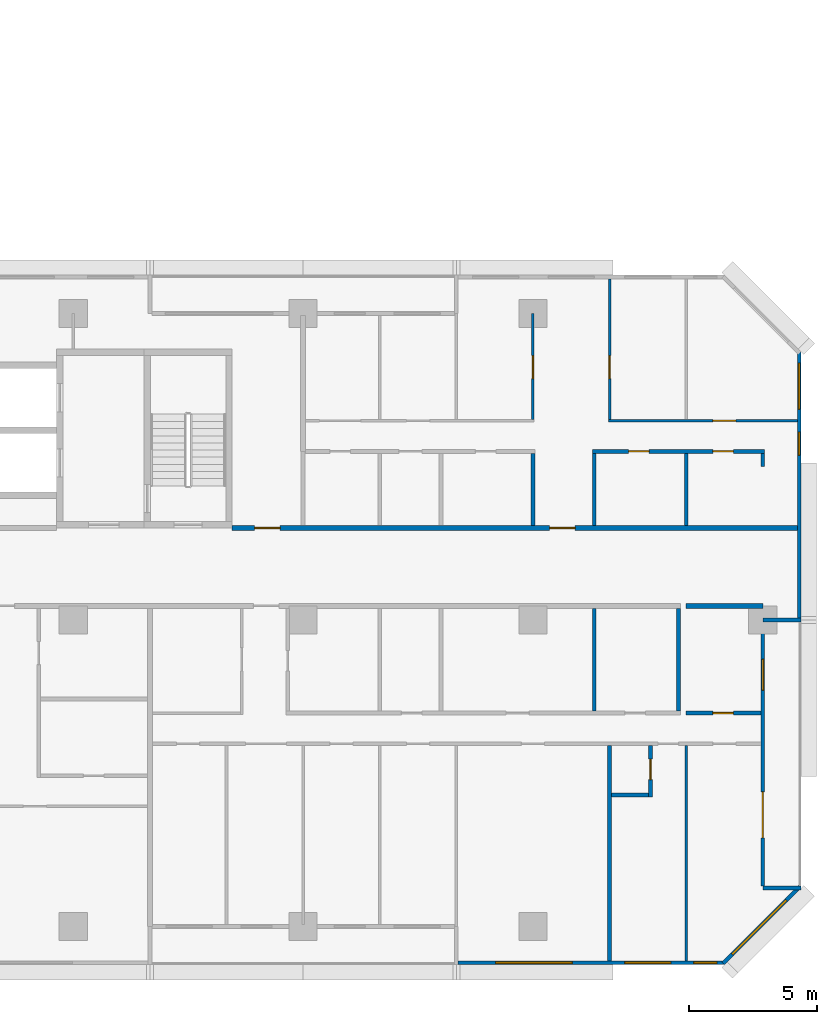
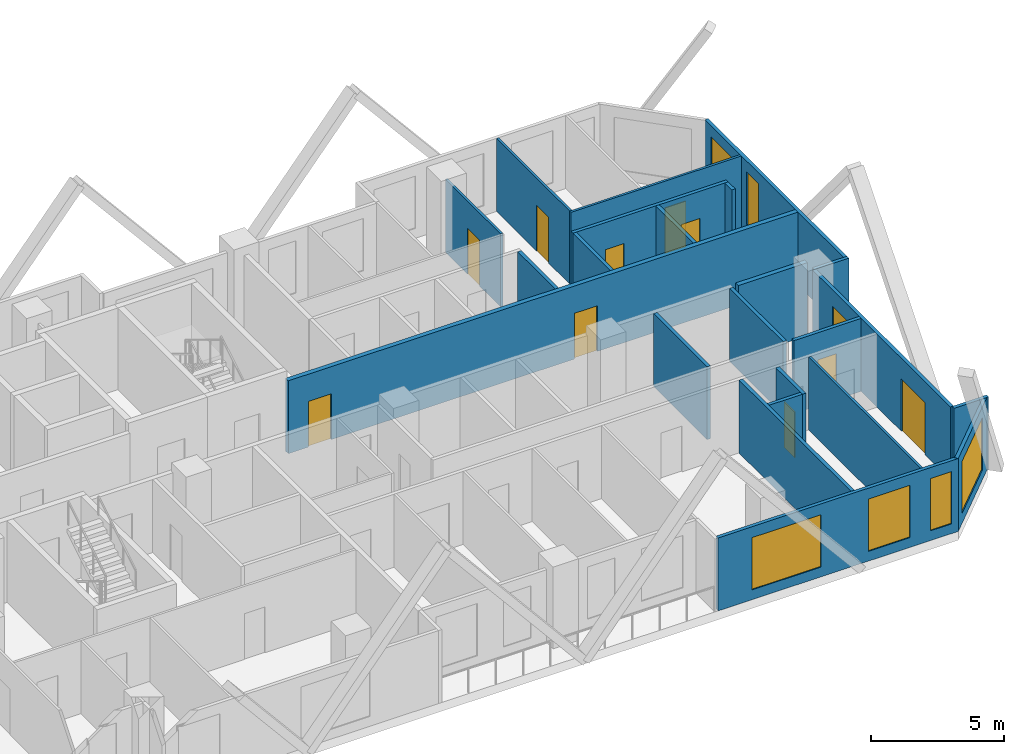
# One storey, part 12 of 16: 23 walls, 10 doors, 7 windows, 17 openings.
"""IFC4 building model written with IfcOpenShell, lengths in metres."""

from ifc_helpers import new_model, si_unit, direction, frame, frame_2d, origin, place, context, subcontext, project, spatial, rectangle, extrude, material, layer, layer_set, type_object, element, fill, save


model = new_model("IFC4")

# Units and contexts
model_context = context("Model", 3, precision=1e-05, world=origin(), true_north=direction((0.0, 1.0)))
body_context = subcontext(model_context, "Body", "Model", "MODEL_VIEW")
ifc_project = project(units=[si_unit("LENGTHUNIT", "METRE"), si_unit("AREAUNIT", "SQUARE_METRE"), si_unit("VOLUMEUNIT", "CUBIC_METRE"), si_unit("PLANEANGLEUNIT", "RADIAN"), si_unit("MASSUNIT", "GRAM", prefix="KILO")], contexts=[model_context])

# Site, building, storey
site_placement = place(None, origin())
site = spatial("IfcSite", under=ifc_project, at=site_placement, CompositionType="ELEMENT")
building_placement = place(site_placement, origin())
building = spatial("IfcBuilding", under=site, at=building_placement, Name="Chenar Terraces", CompositionType="ELEMENT")
storey_placement = place(building_placement, frame((0.0, 0.0, 78.89990234375)))
storey = spatial("IfcBuildingStorey", under=building, at=storey_placement, Name="L17", CompositionType="ELEMENT", Elevation=78.89990234375)

# Wall, openings, doors
ifc_material_1 = material(Name="Gypsum board on steel studs with fire boards", Category="steel")
ifc_layer_1 = layer(ifc_material_1, 0.199951171875)
ifc_layer_set_1 = layer_set([ifc_layer_1], Name="Gypsum board on steel studs with fire boards")
wall_type_1 = type_object("IfcWallType", Name="Corridor wall 200", PredefinedType="PARTITIONING", material=ifc_layer_set_1)
wall_1_placement = place(storey_placement, frame((51.22509765625, 15.60009765625, 0.0), z_axis=(0.0, 0.0, 1.0), x_axis=(1.0, 0.0, 0.0)))
wall_1 = element("IfcWall", 1, at=wall_1_placement, inside=storey, type_object=wall_type_1, Name="Partition L17-076", PredefinedType="PARTITIONING", context=body_context, shape_type="SweptSolid", body=[
    extrude(rectangle(XDim=22.125, YDim=0.199951171875, at=frame_2d((11.0625, 0.0))), origin(), (0.0, 0.0, 1.0), 3.35009765625),
])
opening_1_placement = place(wall_1_placement, frame((12.425048828125, 0.0, 0.0)))
opening_1 = element("IfcOpeningElement", 2, at=opening_1_placement, cuts=wall_1, Name="Opening DL17-11", PredefinedType="OPENING", context=body_context, shape_type="SweptSolid", body=[
    extrude(rectangle(XDim=1.0, YDim=2.10009765625, at=frame_2d((0.5, 1.050048828125))), frame((0.0, 0.10986328125, 0.0), z_axis=(0.0, -1.0, 0.0), x_axis=(1.0, 0.0, 0.0)), (0.0, 0.0, 1.0), 0.219970703125),
])
opening_2_placement = place(wall_1_placement, frame((0.875, 0.0, 0.0)))
opening_2 = element("IfcOpeningElement", 3, at=opening_2_placement, cuts=wall_1, Name="Opening DL17-55", PredefinedType="OPENING", context=body_context, shape_type="SweptSolid", body=[
    extrude(rectangle(XDim=1.0, YDim=2.10009765625, at=frame_2d((0.5, 1.050048828125))), frame((0.0, 0.10986328125, 0.0), z_axis=(0.0, -1.0, 0.0), x_axis=(1.0, 0.0, 0.0)), (0.0, 0.0, 1.0), 0.219970703125),
])
ifc_material_2 = material(Name="Steel-framed fire-resisting door leaf", Category="steel")
door_type_1 = type_object("IfcDoorType", Name="Fire door FD30S 1000 x 2100", OperationType="SINGLE_SWING_LEFT", PredefinedType="DOOR", material=ifc_material_2)
door_1_placement = place(opening_1_placement, origin())
door_1 = element("IfcDoor", 4, at=door_1_placement, inside=storey, type_object=door_type_1, Name="Door DL17-11", OperationType="SINGLE_SWING_LEFT", OverallHeight=2.10009765625, OverallWidth=1.0, PredefinedType="DOOR", context=body_context, shape_type="SweptSolid", body=[
    extrude(rectangle(XDim=1.0, YDim=2.10009765625, at=frame_2d((0.5, 1.050048828125))), frame((0.0, 0.02490234375, 0.0), z_axis=(0.0, -1.0, 0.0), x_axis=(1.0, 0.0, 0.0)), (0.0, 0.0, 1.0), 0.050048828125),
])
fill(opening_1, door_1)
door_2_placement = place(opening_2_placement, origin())
door_2 = element("IfcDoor", 5, at=door_2_placement, inside=storey, type_object=door_type_1, Name="Door DL17-55", OperationType="SINGLE_SWING_RIGHT", OverallHeight=2.10009765625, OverallWidth=1.0, PredefinedType="DOOR", context=body_context, shape_type="SweptSolid", body=[
    extrude(rectangle(XDim=1.0, YDim=2.10009765625, at=frame_2d((0.5, 1.050048828125))), frame((0.0, 0.02490234375, 0.0), z_axis=(0.0, -1.0, 0.0), x_axis=(1.0, 0.0, 0.0)), (0.0, 0.0, 1.0), 0.050048828125),
])
fill(opening_2, door_2)

# Wall
wall_2_placement = place(storey_placement, frame((69.0, 12.550048828125, 0.0), z_axis=(0.0, 0.0, 1.0), x_axis=(1.0, 0.0, 0.0)))
element("IfcWall", 6, at=wall_2_placement, inside=storey, type_object=wall_type_1, Name="Partition L17-106", PredefinedType="PARTITIONING", context=body_context, shape_type="SweptSolid", body=[
    extrude(rectangle(XDim=3.0, YDim=0.199951171875, at=frame_2d((1.5, 0.0))), origin(), (0.0, 0.0, 1.0), 3.35009765625),
])

# Wall, openings, windows
ifc_material_3 = material(Name="Aluminium framed glazing", Category="aluminium")
ifc_layer_2 = layer(ifc_material_3, 0.14990234375)
ifc_layer_set_2 = layer_set([ifc_layer_2], Name="Aluminium framed glazing")
wall_type_2 = type_object("IfcWallType", Name="Glazed flush facade wall 150", PredefinedType="SOLIDWALL", material=ifc_layer_set_2)
wall_3_placement = place(storey_placement, frame((60.074951171875, -1.425048828125, 0.0), z_axis=(0.0, 0.0, 1.0), x_axis=(1.0, 0.0, 0.0)))
wall_3 = element("IfcWall", 7, at=wall_3_placement, inside=storey, type_object=wall_type_2, Name="Glazed flush facade wall", PredefinedType="SOLIDWALL", context=body_context, shape_type="SweptSolid", body=[
    extrude(rectangle(XDim=10.425048828125, YDim=0.14990234375, at=frame_2d((5.21240234375, 0.0))), origin(), (0.0, 0.0, 1.0), 3.35009765625),
])
opening_3_placement = place(wall_3_placement, frame((1.46240234375, 0.0, 0.449951171875)))
opening_3 = element("IfcOpeningElement", 8, at=opening_3_placement, cuts=wall_3, Name="Opening W300x240", PredefinedType="OPENING", context=body_context, shape_type="SweptSolid", body=[
    extrude(rectangle(XDim=3.0, YDim=2.39990234375, at=frame_2d((1.5, 1.199951171875))), frame((0.0, 0.0849609375, 0.0), z_axis=(0.0, -1.0, 0.0), x_axis=(1.0, 0.0, 0.0)), (0.0, 0.0, 1.0), 0.169921875),
])
opening_4_placement = place(wall_3_placement, frame((6.52490234375, 0.0, 0.449951171875)))
opening_4 = element("IfcOpeningElement", 9, at=opening_4_placement, cuts=wall_3, Name="Opening W180x240", PredefinedType="OPENING", context=body_context, shape_type="SweptSolid", body=[
    extrude(rectangle(XDim=1.800048828125, YDim=2.39990234375, at=frame_2d((0.89990234375, 1.199951171875))), frame((0.0, 0.0849609375, 0.0), z_axis=(0.0, -1.0, 0.0), x_axis=(1.0, 0.0, 0.0)), (0.0, 0.0, 1.0), 0.169921875),
])
opening_5_placement = place(wall_3_placement, frame((9.22509765625, 0.0, 0.449951171875)))
opening_5 = element("IfcOpeningElement", 10, at=opening_5_placement, cuts=wall_3, Name="Opening W90x240", PredefinedType="OPENING", context=body_context, shape_type="SweptSolid", body=[
    extrude(rectangle(XDim=0.89990234375, YDim=2.39990234375, at=frame_2d((0.449951171875, 1.199951171875))), frame((0.0, 0.0849609375, 0.0), z_axis=(0.0, -1.0, 0.0), x_axis=(1.0, 0.0, 0.0)), (0.0, 0.0, 1.0), 0.169921875),
])
ifc_material_4 = material(Name="Low emissivity double glazing, aluminium frame", Category="aluminium")
window_type_1 = type_object("IfcWindowType", Name="Fixed light 1800 x 2400", PartitioningType="SINGLE_PANEL", PredefinedType="WINDOW", material=ifc_material_4)
window_1_placement = place(opening_4_placement, origin())
window_1 = element("IfcWindow", 11, at=window_1_placement, inside=storey, type_object=window_type_1, Name="Window", OverallHeight=2.39990234375, OverallWidth=1.800048828125, PartitioningType="SINGLE_PANEL", PredefinedType="WINDOW", context=body_context, shape_type="SweptSolid", body=[
    extrude(rectangle(XDim=1.800048828125, YDim=2.39990234375, at=frame_2d((0.89990234375, 1.199951171875))), frame((0.0, 0.030029296875, 0.0), z_axis=(0.0, -1.0, 0.0), x_axis=(1.0, 0.0, 0.0)), (0.0, 0.0, 1.0), 0.06005859375),
])
fill(opening_4, window_1)
ifc_material_5 = material(Name="Low emissivity double glazing, aluminium frame", Category="aluminium")
window_type_2 = type_object("IfcWindowType", Name="Fixed light 3000 x 2400", PartitioningType="SINGLE_PANEL", PredefinedType="WINDOW", material=ifc_material_5)
window_2_placement = place(opening_3_placement, origin())
window_2 = element("IfcWindow", 12, at=window_2_placement, inside=storey, type_object=window_type_2, Name="Window", OverallHeight=2.39990234375, OverallWidth=3.0, PartitioningType="SINGLE_PANEL", PredefinedType="WINDOW", context=body_context, shape_type="SweptSolid", body=[
    extrude(rectangle(XDim=3.0, YDim=2.39990234375, at=frame_2d((1.5, 1.199951171875))), frame((0.0, 0.030029296875, 0.0), z_axis=(0.0, -1.0, 0.0), x_axis=(1.0, 0.0, 0.0)), (0.0, 0.0, 1.0), 0.06005859375),
])
fill(opening_3, window_2)
ifc_material_6 = material(Name="Low emissivity double glazing, aluminium frame", Category="aluminium")
window_type_3 = type_object("IfcWindowType", Name="Fixed light 900 x 2400", PartitioningType="SINGLE_PANEL", PredefinedType="WINDOW", material=ifc_material_6)
window_3_placement = place(opening_5_placement, origin())
window_3 = element("IfcWindow", 13, at=window_3_placement, inside=storey, type_object=window_type_3, Name="Window", OverallHeight=2.39990234375, OverallWidth=0.89990234375, PartitioningType="SINGLE_PANEL", PredefinedType="WINDOW", context=body_context, shape_type="SweptSolid", body=[
    extrude(rectangle(XDim=0.89990234375, YDim=2.39990234375, at=frame_2d((0.449951171875, 1.199951171875))), frame((0.0, 0.030029296875, 0.0), z_axis=(0.0, -1.0, 0.0), x_axis=(1.0, 0.0, 0.0)), (0.0, 0.0, 1.0), 0.06005859375),
])
fill(opening_5, window_3)

wall_4_placement = place(storey_placement, frame((73.425048828125, 12.074951171875, 0.0), z_axis=(0.0, 0.0, 1.0), x_axis=(0.0, 1.0, 0.0)))
wall_4 = element("IfcWall", 14, at=wall_4_placement, inside=storey, type_object=wall_type_2, Name="Glazed flush facade wall", PredefinedType="SOLIDWALL", context=body_context, shape_type="SweptSolid", body=[
    extrude(rectangle(XDim=10.425048828125, YDim=0.14990234375, at=frame_2d((5.21240234375, 0.0))), origin(), (0.0, 0.0, 1.0), 3.35009765625),
])
opening_6_placement = place(wall_4_placement, frame((6.375, 0.0, 0.449951171875)))
opening_6 = element("IfcOpeningElement", 15, at=opening_6_placement, cuts=wall_4, Name="Opening W90x240", PredefinedType="OPENING", context=body_context, shape_type="SweptSolid", body=[
    extrude(rectangle(XDim=0.89990234375, YDim=2.39990234375, at=frame_2d((0.449951171875, 1.199951171875))), frame((0.0, 0.0849609375, 0.0), z_axis=(0.0, -1.0, 0.0), x_axis=(1.0, 0.0, 0.0)), (0.0, 0.0, 1.0), 0.169921875),
])
opening_7_placement = place(wall_4_placement, frame((8.175048828125, 0.0, 0.449951171875)))
opening_7 = element("IfcOpeningElement", 16, at=opening_7_placement, cuts=wall_4, Name="Opening W180x240", PredefinedType="OPENING", context=body_context, shape_type="SweptSolid", body=[
    extrude(rectangle(XDim=1.800048828125, YDim=2.39990234375, at=frame_2d((0.89990234375, 1.199951171875))), frame((0.0, 0.0849609375, 0.0), z_axis=(0.0, -1.0, 0.0), x_axis=(1.0, 0.0, 0.0)), (0.0, 0.0, 1.0), 0.169921875),
])
window_4_placement = place(opening_7_placement, origin())
window_4 = element("IfcWindow", 17, at=window_4_placement, inside=storey, type_object=window_type_1, Name="Window", OverallHeight=2.39990234375, OverallWidth=1.800048828125, PartitioningType="SINGLE_PANEL", PredefinedType="WINDOW", context=body_context, shape_type="SweptSolid", body=[
    extrude(rectangle(XDim=1.800048828125, YDim=2.39990234375, at=frame_2d((0.89990234375, 1.199951171875))), frame((0.0, 0.030029296875, 0.0), z_axis=(0.0, -1.0, 0.0), x_axis=(1.0, 0.0, 0.0)), (0.0, 0.0, 1.0), 0.06005859375),
])
fill(opening_7, window_4)
window_5_placement = place(opening_6_placement, origin())
window_5 = element("IfcWindow", 18, at=window_5_placement, inside=storey, type_object=window_type_3, Name="Window", OverallHeight=2.39990234375, OverallWidth=0.89990234375, PartitioningType="SINGLE_PANEL", PredefinedType="WINDOW", context=body_context, shape_type="SweptSolid", body=[
    extrude(rectangle(XDim=0.89990234375, YDim=2.39990234375, at=frame_2d((0.449951171875, 1.199951171875))), frame((0.0, 0.030029296875, 0.0), z_axis=(0.0, -1.0, 0.0), x_axis=(1.0, 0.0, 0.0)), (0.0, 0.0, 1.0), 0.06005859375),
])
fill(opening_6, window_5)

# Wall, openings, window, door
ifc_material_7 = material(Name="Aluminium framed glazing", Category="aluminium")
ifc_layer_3 = layer(ifc_material_7, 0.14990234375)
ifc_layer_set_3 = layer_set([ifc_layer_3], Name="Aluminium framed glazing")
wall_type_3 = type_object("IfcWallType", Name="Glazed loggia back wall 150", PredefinedType="SOLIDWALL", material=ifc_layer_set_3)
wall_5_placement = place(storey_placement, frame((72.0, 1.574951171875, 0.0), z_axis=(0.0, 0.0, 1.0), x_axis=(0.0, 1.0, 0.0)))
wall_5 = element("IfcWall", 19, at=wall_5_placement, inside=storey, type_object=wall_type_3, Name="Glazed loggia back wall", PredefinedType="SOLIDWALL", context=body_context, shape_type="SweptSolid", body=[
    extrude(rectangle(XDim=10.35009765625, YDim=0.14990234375, at=frame_2d((5.175048828125, 0.0))), origin(), (0.0, 0.0, 1.0), 3.35009765625),
])
opening_8_placement = place(wall_5_placement, frame((1.887451171875, 0.0, 0.0)))
opening_8 = element("IfcOpeningElement", 20, at=opening_8_placement, cuts=wall_5, Name="Opening DL17-G6", PredefinedType="OPENING", context=body_context, shape_type="SweptSolid", body=[
    extrude(rectangle(XDim=1.800048828125, YDim=2.39990234375, at=frame_2d((0.89990234375, 1.199951171875))), frame((0.0, 0.0849609375, 0.0), z_axis=(0.0, -1.0, 0.0), x_axis=(1.0, 0.0, 0.0)), (0.0, 0.0, 1.0), 0.169921875),
])
opening_9_placement = place(wall_5_placement, frame((7.675048828125, 0.0, 1.699951171875)))
opening_9 = element("IfcOpeningElement", 21, at=opening_9_placement, cuts=wall_5, Name="Opening W120x90", PredefinedType="OPENING", context=body_context, shape_type="SweptSolid", body=[
    extrude(rectangle(XDim=1.199951171875, YDim=0.89990234375, at=frame_2d((0.60009765625, 0.449951171875))), frame((0.0, 0.0849609375, 0.0), z_axis=(0.0, -1.0, 0.0), x_axis=(1.0, 0.0, 0.0)), (0.0, 0.0, 1.0), 0.169921875),
])
ifc_material_8 = material(Name="Low emissivity double glazing, aluminium frame", Category="aluminium")
window_type_4 = type_object("IfcWindowType", Name="Fixed light 1200 x 900", PartitioningType="SINGLE_PANEL", PredefinedType="WINDOW", material=ifc_material_8)
window_6_placement = place(opening_9_placement, origin())
window_6 = element("IfcWindow", 22, at=window_6_placement, inside=storey, type_object=window_type_4, Name="Window", OverallHeight=0.89990234375, OverallWidth=1.199951171875, PartitioningType="SINGLE_PANEL", PredefinedType="WINDOW", context=body_context, shape_type="SweptSolid", body=[
    extrude(rectangle(XDim=1.199951171875, YDim=0.89990234375, at=frame_2d((0.60009765625, 0.449951171875))), frame((0.0, 0.030029296875, 0.0), z_axis=(0.0, -1.0, 0.0), x_axis=(1.0, 0.0, 0.0)), (0.0, 0.0, 1.0), 0.06005859375),
])
fill(opening_9, window_6)
ifc_material_9 = material(Name="Low emissivity double glazing, aluminium frame", Category="aluminium")
door_type_2 = type_object("IfcDoorType", Name="Loggia glazed double door 1800 x 2400", OperationType="DOUBLE_DOOR_SINGLE_SWING", PredefinedType="DOOR", material=ifc_material_9)
door_3_placement = place(opening_8_placement, frame((1.800048828125, 0.0, 0.0), z_axis=(0.0, 0.0, 1.0), x_axis=(-1.0, 0.0, 0.0)))
door_3 = element("IfcDoor", 23, at=door_3_placement, inside=storey, type_object=door_type_2, Name="Loggia glazed door", OperationType="DOUBLE_DOOR_SINGLE_SWING", OverallHeight=2.39990234375, OverallWidth=1.800048828125, PredefinedType="DOOR", context=body_context, shape_type="SweptSolid", body=[
    extrude(rectangle(XDim=1.800048828125, YDim=2.39990234375, at=frame_2d((0.89990234375, 1.199951171875))), frame((0.0, 0.02490234375, 0.0), z_axis=(0.0, -1.0, 0.0), x_axis=(1.0, 0.0, 0.0)), (0.0, 0.0, 1.0), 0.050048828125),
])
fill(opening_8, door_3)

# Wall, opening, door
ifc_material_10 = material(Name="Gypsum board on steel studs", Category="steel")
ifc_layer_4 = layer(ifc_material_10, 0.10009765625)
ifc_layer_set_4 = layer_set([ifc_layer_4], Name="Gypsum board on steel studs")
wall_type_4 = type_object("IfcWallType", Name="Gypsum partition 100", PredefinedType="PARTITIONING", material=ifc_layer_set_4)
wall_6_placement = place(storey_placement, frame((63.0, 19.85009765625, 0.0), z_axis=(0.0, 0.0, 1.0), x_axis=(0.0, 1.0, 0.0)))
wall_6 = element("IfcWall", 24, at=wall_6_placement, inside=storey, type_object=wall_type_4, Name="Partition L17-094", PredefinedType="PARTITIONING", context=body_context, shape_type="SweptSolid", body=[
    extrude(rectangle(XDim=4.14990234375, YDim=0.10009765625, at=frame_2d((2.074951171875, 0.0))), origin(), (0.0, 0.0, 1.0), 3.35009765625),
])
opening_10_placement = place(wall_6_placement, frame((1.60009765625, 0.0, 0.0)))
opening_10 = element("IfcOpeningElement", 25, at=opening_10_placement, cuts=wall_6, Name="Opening DL17-5", PredefinedType="OPENING", context=body_context, shape_type="SweptSolid", body=[
    extrude(rectangle(XDim=0.89990234375, YDim=2.10009765625, at=frame_2d((0.449951171875, 1.050048828125))), frame((0.0, 0.06005859375, 0.0), z_axis=(0.0, -1.0, 0.0), x_axis=(1.0, 0.0, 0.0)), (0.0, 0.0, 1.0), 0.1201171875),
])
ifc_material_11 = material(Name="Veneered timber door leaf", Category="wood")
door_type_3 = type_object("IfcDoorType", Name="Door 900 x 2100", OperationType="SINGLE_SWING_LEFT", PredefinedType="DOOR", material=ifc_material_11)
door_4_placement = place(opening_10_placement, origin())
door_4 = element("IfcDoor", 26, at=door_4_placement, inside=storey, type_object=door_type_3, Name="Door DL17-5", OperationType="SINGLE_SWING_RIGHT", OverallHeight=2.10009765625, OverallWidth=0.89990234375, PredefinedType="DOOR", context=body_context, shape_type="SweptSolid", body=[
    extrude(rectangle(XDim=0.89990234375, YDim=2.10009765625, at=frame_2d((0.449951171875, 1.050048828125))), frame((0.0, 0.02490234375, 0.0), z_axis=(0.0, -1.0, 0.0), x_axis=(1.0, 0.0, 0.0)), (0.0, 0.0, 1.0), 0.050048828125),
])
fill(opening_10, door_4)

wall_7_placement = place(storey_placement, frame((65.949951171875, 19.800048828125, 0.0), z_axis=(0.0, 0.0, 1.0), x_axis=(1.0, 0.0, 0.0)))
wall_7 = element("IfcWall", 27, at=wall_7_placement, inside=storey, type_object=wall_type_4, Name="Partition L17-098", PredefinedType="PARTITIONING", context=body_context, shape_type="SweptSolid", body=[
    extrude(rectangle(XDim=7.401123046875, YDim=0.10009765625, at=frame_2d((3.70068359375, 0.0))), origin(), (0.0, 0.0, 1.0), 3.35009765625),
])
opening_11_placement = place(wall_7_placement, frame((4.10009765625, 0.0, 0.0)))
opening_11 = element("IfcOpeningElement", 28, at=opening_11_placement, cuts=wall_7, Name="Opening DL17-7", PredefinedType="OPENING", context=body_context, shape_type="SweptSolid", body=[
    extrude(rectangle(XDim=0.89990234375, YDim=2.10009765625, at=frame_2d((0.449951171875, 1.050048828125))), frame((0.0, 0.06005859375, 0.0), z_axis=(0.0, -1.0, 0.0), x_axis=(1.0, 0.0, 0.0)), (0.0, 0.0, 1.0), 0.1201171875),
])
door_5_placement = place(opening_11_placement, origin())
door_5 = element("IfcDoor", 29, at=door_5_placement, inside=storey, type_object=door_type_3, Name="Door DL17-7", OperationType="SINGLE_SWING_LEFT", OverallHeight=2.10009765625, OverallWidth=0.89990234375, PredefinedType="DOOR", context=body_context, shape_type="SweptSolid", body=[
    extrude(rectangle(XDim=0.89990234375, YDim=2.10009765625, at=frame_2d((0.449951171875, 1.050048828125))), frame((0.0, 0.02490234375, 0.0), z_axis=(0.0, -1.0, 0.0), x_axis=(1.0, 0.0, 0.0)), (0.0, 0.0, 1.0), 0.050048828125),
])
fill(opening_11, door_5)

wall_8_placement = place(storey_placement, frame((66.0, 19.85009765625, 0.0), z_axis=(0.0, 0.0, 1.0), x_axis=(0.0, 1.0, 0.0)))
wall_8 = element("IfcWall", 30, at=wall_8_placement, inside=storey, type_object=wall_type_4, Name="Partition L17-100", PredefinedType="PARTITIONING", context=body_context, shape_type="SweptSolid", body=[
    extrude(rectangle(XDim=5.5, YDim=0.10009765625, at=frame_2d((2.75, 0.0))), origin(), (0.0, 0.0, 1.0), 3.35009765625),
])
opening_12_placement = place(wall_8_placement, frame((1.60009765625, 0.0, 0.0)))
opening_12 = element("IfcOpeningElement", 31, at=opening_12_placement, cuts=wall_8, Name="Opening DL17-6", PredefinedType="OPENING", context=body_context, shape_type="SweptSolid", body=[
    extrude(rectangle(XDim=0.89990234375, YDim=2.10009765625, at=frame_2d((0.449951171875, 1.050048828125))), frame((0.0, 0.06005859375, 0.0), z_axis=(0.0, -1.0, 0.0), x_axis=(1.0, 0.0, 0.0)), (0.0, 0.0, 1.0), 0.1201171875),
])
door_6_placement = place(opening_12_placement, frame((0.89990234375, 0.0, 0.0), z_axis=(0.0, 0.0, 1.0), x_axis=(-1.0, 0.0, 0.0)))
door_6 = element("IfcDoor", 32, at=door_6_placement, inside=storey, type_object=door_type_3, Name="Door DL17-6", OperationType="SINGLE_SWING_LEFT", OverallHeight=2.10009765625, OverallWidth=0.89990234375, PredefinedType="DOOR", context=body_context, shape_type="SweptSolid", body=[
    extrude(rectangle(XDim=0.89990234375, YDim=2.10009765625, at=frame_2d((0.449951171875, 1.050048828125))), frame((0.0, 0.02490234375, 0.0), z_axis=(0.0, -1.0, 0.0), x_axis=(1.0, 0.0, 0.0)), (0.0, 0.0, 1.0), 0.050048828125),
])
fill(opening_12, door_6)

# Walls
wall_9_placement = place(storey_placement, frame((69.0, -1.35107421875, 0.0), z_axis=(0.0, 0.0, 1.0), x_axis=(0.0, 1.0, 0.0)))
element("IfcWall", 33, at=wall_9_placement, inside=storey, type_object=wall_type_4, Name="Partition L17-104", PredefinedType="PARTITIONING", context=body_context, shape_type="SweptSolid", body=[
    extrude(rectangle(XDim=8.426025390625, YDim=0.10009765625, at=frame_2d((4.212890625, 0.0))), origin(), (0.0, 0.0, 1.0), 3.35009765625),
])
ifc_material_12 = material(Name="Terracotta cladding on insulated backing", Category="masonry")
ifc_layer_5 = layer(ifc_material_12, 0.14990234375)
ifc_layer_set_5 = layer_set([ifc_layer_5], Name="Terracotta cladding on insulated backing")
wall_type_5 = type_object("IfcWallType", Name="Loggia return wall 150", PredefinedType="SOLIDWALL", material=ifc_layer_set_5)
for number, where, z_axis, x_axis, name in (
    (34, (73.5, 1.5, 0.0), (0.0, 0.0, 1.0), (-1.0, 0.0, 0.0), "Loggia return wall"),
    (35, (73.5, 12.0, 0.0), (0.0, 0.0, 1.0), (-1.0, 0.0, 0.0), "Loggia return wall"),
):
    element("IfcWall", number, at=place(storey_placement, frame(where, z_axis=z_axis, x_axis=x_axis)), inside=storey, type_object=wall_type_5, Name=name, PredefinedType="SOLIDWALL", context=body_context, shape_type="SweptSolid", body=[
        extrude(rectangle(XDim=1.5, YDim=0.14990234375, at=frame_2d((0.75, 0.0))), origin(), (0.0, 0.0, 1.0), 3.35009765625),
    ])

# Wall, opening, window
ifc_material_13 = material(Name="Terracotta cladding on insulated backing", Category="masonry")
ifc_layer_6 = layer(ifc_material_13, 0.14990234375)
ifc_layer_set_6 = layer_set([ifc_layer_6], Name="Terracotta cladding on insulated backing")
wall_type_6 = type_object("IfcWallType", Name="Terracotta rainscreen wall 150", PredefinedType="SOLIDWALL", material=ifc_layer_set_6)
wall_10_placement = place(storey_placement, frame((70.447021484375, -1.447021484375, 0.0), z_axis=(0.0, 0.0, 1.0), x_axis=(0.707106781187, 0.707106781187, 0.0)))
wall_10 = element("IfcWall", 36, at=wall_10_placement, inside=storey, type_object=wall_type_6, Name="Terracotta rainscreen wall", PredefinedType="SOLIDWALL", context=body_context, shape_type="SweptSolid", body=[
    extrude(rectangle(XDim=4.24267578125, YDim=0.14990234375, at=frame_2d((2.121337890625, 0.0))), origin(), (0.0, 0.0, 1.0), 3.35009765625),
])
opening_13_placement = place(wall_10_placement, frame((0.498046875, 0.0, 0.449951171875)))
opening_13 = element("IfcOpeningElement", 37, at=opening_13_placement, cuts=wall_10, Name="Opening W300x240", PredefinedType="OPENING", context=body_context, shape_type="SweptSolid", body=[
    extrude(rectangle(XDim=3.0, YDim=2.39990234375, at=frame_2d((1.5, 1.199951171875))), frame((0.0, 0.0849609375, 0.0), z_axis=(0.0, -1.0, 0.0), x_axis=(1.0, 0.0, 0.0)), (0.0, 0.0, 1.0), 0.169921875),
])
window_7_placement = place(opening_13_placement, origin())
window_7 = element("IfcWindow", 38, at=window_7_placement, inside=storey, type_object=window_type_2, Name="Window", OverallHeight=2.39990234375, OverallWidth=3.0, PartitioningType="SINGLE_PANEL", PredefinedType="WINDOW", context=body_context, shape_type="SweptSolid", body=[
    extrude(rectangle(XDim=3.0, YDim=2.39990234375, at=frame_2d((1.5, 1.199951171875))), frame((0.0, 0.030029296875, 0.0), z_axis=(0.0, -1.0, 0.0), x_axis=(1.0, 0.0, 0.0)), (0.0, 0.0, 1.0), 0.06005859375),
])
fill(opening_13, window_7)

# Wall
ifc_material_14 = material(Name="Moisture-resistant gypsum board on steel studs", Category="steel")
ifc_layer_7 = layer(ifc_material_14, 0.14990234375)
ifc_layer_set_7 = layer_set([ifc_layer_7], Name="Moisture-resistant gypsum board on steel studs")
wall_type_7 = type_object("IfcWallType", Name="Wet-room partition 150", PredefinedType="PARTITIONING", material=ifc_layer_set_7)
wall_11_placement = place(storey_placement, frame((63.0, 15.699951171875, 0.0), z_axis=(0.0, 0.0, 1.0), x_axis=(0.0, 1.0, 0.0)))
element("IfcWall", 39, at=wall_11_placement, inside=storey, type_object=wall_type_7, Name="Partition L17-093", PredefinedType="PARTITIONING", context=body_context, shape_type="SweptSolid", body=[
    extrude(rectangle(XDim=2.824951171875, YDim=0.14990234375, at=frame_2d((1.41259765625, 0.0))), origin(), (0.0, 0.0, 1.0), 3.35009765625),
])

# Wall, openings, doors
wall_12_placement = place(storey_placement, frame((65.324951171875, 18.60009765625, 0.0), z_axis=(0.0, 0.0, 1.0), x_axis=(1.0, 0.0, 0.0)))
wall_12 = element("IfcWall", 40, at=wall_12_placement, inside=storey, type_object=wall_type_7, Name="Partition L17-095", PredefinedType="PARTITIONING", context=body_context, shape_type="SweptSolid", body=[
    extrude(rectangle(XDim=6.75, YDim=0.14990234375, at=frame_2d((3.375, 0.0))), origin(), (0.0, 0.0, 1.0), 3.35009765625),
])
opening_14_placement = place(wall_12_placement, frame((4.72509765625, 0.0, 0.0)))
opening_14 = element("IfcOpeningElement", 41, at=opening_14_placement, cuts=wall_12, Name="Opening DL17-10", PredefinedType="OPENING", context=body_context, shape_type="SweptSolid", body=[
    extrude(rectangle(XDim=0.800048828125, YDim=2.10009765625, at=frame_2d((0.39990234375, 1.050048828125))), frame((0.0, 0.0849609375, 0.0), z_axis=(0.0, -1.0, 0.0), x_axis=(1.0, 0.0, 0.0)), (0.0, 0.0, 1.0), 0.169921875),
])
opening_15_placement = place(wall_12_placement, frame((1.425048828125, 0.0, 0.0)))
opening_15 = element("IfcOpeningElement", 42, at=opening_15_placement, cuts=wall_12, Name="Opening DL17-14", PredefinedType="OPENING", context=body_context, shape_type="SweptSolid", body=[
    extrude(rectangle(XDim=0.800048828125, YDim=2.10009765625, at=frame_2d((0.39990234375, 1.050048828125))), frame((0.0, 0.0849609375, 0.0), z_axis=(0.0, -1.0, 0.0), x_axis=(1.0, 0.0, 0.0)), (0.0, 0.0, 1.0), 0.169921875),
])
ifc_material_15 = material(Name="Veneered timber door leaf", Category="wood")
door_type_4 = type_object("IfcDoorType", Name="Door 800 x 2100", OperationType="SINGLE_SWING_LEFT", PredefinedType="DOOR", material=ifc_material_15)
door_7_placement = place(opening_14_placement, frame((0.800048828125, 0.0, 0.0), z_axis=(0.0, 0.0, 1.0), x_axis=(-1.0, 0.0, 0.0)))
door_7 = element("IfcDoor", 43, at=door_7_placement, inside=storey, type_object=door_type_4, Name="Door DL17-10", OperationType="SINGLE_SWING_RIGHT", OverallHeight=2.10009765625, OverallWidth=0.800048828125, PredefinedType="DOOR", context=body_context, shape_type="SweptSolid", body=[
    extrude(rectangle(XDim=0.800048828125, YDim=2.10009765625, at=frame_2d((0.39990234375, 1.050048828125))), frame((0.0, 0.02490234375, 0.0), z_axis=(0.0, -1.0, 0.0), x_axis=(1.0, 0.0, 0.0)), (0.0, 0.0, 1.0), 0.050048828125),
])
fill(opening_14, door_7)
door_8_placement = place(opening_15_placement, frame((0.800048828125, 0.0, 0.0), z_axis=(0.0, 0.0, 1.0), x_axis=(-1.0, 0.0, 0.0)))
door_8 = element("IfcDoor", 44, at=door_8_placement, inside=storey, type_object=door_type_4, Name="Door DL17-14", OperationType="SINGLE_SWING_RIGHT", OverallHeight=2.10009765625, OverallWidth=0.800048828125, PredefinedType="DOOR", context=body_context, shape_type="SweptSolid", body=[
    extrude(rectangle(XDim=0.800048828125, YDim=2.10009765625, at=frame_2d((0.39990234375, 1.050048828125))), frame((0.0, 0.02490234375, 0.0), z_axis=(0.0, -1.0, 0.0), x_axis=(1.0, 0.0, 0.0)), (0.0, 0.0, 1.0), 0.050048828125),
])
fill(opening_15, door_8)

# Walls
wall_13_placement = place(storey_placement, frame((65.39990234375, 8.425048828125, 0.0), z_axis=(0.0, 0.0, 1.0), x_axis=(0.0, 1.0, 0.0)))
element("IfcWall", 45, at=wall_13_placement, inside=storey, type_object=wall_type_7, Name="Partition L17-096", PredefinedType="PARTITIONING", context=body_context, shape_type="SweptSolid", body=[
    extrude(rectangle(XDim=4.02490234375, YDim=0.14990234375, at=frame_2d((2.012451171875, 0.0))), origin(), (0.0, 0.0, 1.0), 3.35009765625),
])
wall_14_placement = place(storey_placement, frame((65.39990234375, 15.699951171875, 0.0), z_axis=(0.0, 0.0, 1.0), x_axis=(0.0, 1.0, 0.0)))
element("IfcWall", 46, at=wall_14_placement, inside=storey, type_object=wall_type_7, Name="Partition L17-097", PredefinedType="PARTITIONING", context=body_context, shape_type="SweptSolid", body=[
    extrude(rectangle(XDim=2.824951171875, YDim=0.14990234375, at=frame_2d((1.41259765625, 0.0))), origin(), (0.0, 0.0, 1.0), 3.35009765625),
])
wall_15_placement = place(storey_placement, frame((66.0, -1.35009765625, 0.0), z_axis=(0.0, 0.0, 1.0), x_axis=(0.0, 1.0, 0.0)))
element("IfcWall", 47, at=wall_15_placement, inside=storey, type_object=wall_type_7, Name="Partition L17-099", PredefinedType="PARTITIONING", context=body_context, shape_type="SweptSolid", body=[
    extrude(rectangle(XDim=8.425048828125, YDim=0.14990234375, at=frame_2d((4.21240234375, 0.0))), origin(), (0.0, 0.0, 1.0), 3.35009765625),
])
wall_16_placement = place(storey_placement, frame((66.074951171875, 5.14990234375, 0.0), z_axis=(0.0, 0.0, 1.0), x_axis=(1.0, 0.0, 0.0)))
element("IfcWall", 48, at=wall_16_placement, inside=storey, type_object=wall_type_7, Name="Partition L17-101", PredefinedType="PARTITIONING", context=body_context, shape_type="SweptSolid", body=[
    extrude(rectangle(XDim=1.449951171875, YDim=0.14990234375, at=frame_2d((0.72509765625, 0.0))), origin(), (0.0, 0.0, 1.0), 3.35009765625),
])

# Wall, opening, door
wall_17_placement = place(storey_placement, frame((67.60009765625, 5.074951171875, 0.0), z_axis=(0.0, 0.0, 1.0), x_axis=(0.0, 1.0, 0.0)))
wall_17 = element("IfcWall", 49, at=wall_17_placement, inside=storey, type_object=wall_type_7, Name="Partition L17-102", PredefinedType="PARTITIONING", context=body_context, shape_type="SweptSolid", body=[
    extrude(rectangle(XDim=2.0, YDim=0.14990234375, at=frame_2d((1.0, 0.0))), origin(), (0.0, 0.0, 1.0), 3.35009765625),
])
opening_16_placement = place(wall_17_placement, frame((0.675048828125, 0.0, 0.0)))
opening_16 = element("IfcOpeningElement", 50, at=opening_16_placement, cuts=wall_17, Name="Opening DL17-26", PredefinedType="OPENING", context=body_context, shape_type="SweptSolid", body=[
    extrude(rectangle(XDim=0.800048828125, YDim=2.10009765625, at=frame_2d((0.39990234375, 1.050048828125))), frame((0.0, 0.0849609375, 0.0), z_axis=(0.0, -1.0, 0.0), x_axis=(1.0, 0.0, 0.0)), (0.0, 0.0, 1.0), 0.169921875),
])
door_9_placement = place(opening_16_placement, origin())
door_9 = element("IfcDoor", 51, at=door_9_placement, inside=storey, type_object=door_type_4, Name="Door DL17-26", OperationType="SINGLE_SWING_LEFT", OverallHeight=2.10009765625, OverallWidth=0.800048828125, PredefinedType="DOOR", context=body_context, shape_type="SweptSolid", body=[
    extrude(rectangle(XDim=0.800048828125, YDim=2.10009765625, at=frame_2d((0.39990234375, 1.050048828125))), frame((0.0, 0.02490234375, 0.0), z_axis=(0.0, -1.0, 0.0), x_axis=(1.0, 0.0, 0.0)), (0.0, 0.0, 1.0), 0.050048828125),
])
fill(opening_16, door_9)

# Wall
wall_18_placement = place(storey_placement, frame((68.699951171875, 8.425048828125, 0.0), z_axis=(0.0, 0.0, 1.0), x_axis=(0.0, 1.0, 0.0)))
element("IfcWall", 52, at=wall_18_placement, inside=storey, type_object=wall_type_7, Name="Partition L17-103", PredefinedType="PARTITIONING", context=body_context, shape_type="SweptSolid", body=[
    extrude(rectangle(XDim=4.02490234375, YDim=0.14990234375, at=frame_2d((2.012451171875, 0.0))), origin(), (0.0, 0.0, 1.0), 3.35009765625),
])

# Wall, opening, door
wall_19_placement = place(storey_placement, frame((69.0, 8.35009765625, 0.0), z_axis=(0.0, 0.0, 1.0), x_axis=(1.0, 0.0, 0.0)))
wall_19 = element("IfcWall", 53, at=wall_19_placement, inside=storey, type_object=wall_type_7, Name="Partition L17-105", PredefinedType="PARTITIONING", context=body_context, shape_type="SweptSolid", body=[
    extrude(rectangle(XDim=2.926025390625, YDim=0.14990234375, at=frame_2d((1.462890625, 0.0))), origin(), (0.0, 0.0, 1.0), 3.35009765625),
])
opening_17_placement = place(wall_19_placement, frame((1.050048828125, 0.0, 0.0)))
opening_17 = element("IfcOpeningElement", 54, at=opening_17_placement, cuts=wall_19, Name="Opening DL17-23", PredefinedType="OPENING", context=body_context, shape_type="SweptSolid", body=[
    extrude(rectangle(XDim=0.800048828125, YDim=2.10009765625, at=frame_2d((0.39990234375, 1.050048828125))), frame((0.0, 0.0849609375, 0.0), z_axis=(0.0, -1.0, 0.0), x_axis=(1.0, 0.0, 0.0)), (0.0, 0.0, 1.0), 0.169921875),
])
door_10_placement = place(opening_17_placement, origin())
door_10 = element("IfcDoor", 55, at=door_10_placement, inside=storey, type_object=door_type_4, Name="Door DL17-23", OperationType="SINGLE_SWING_RIGHT", OverallHeight=2.10009765625, OverallWidth=0.800048828125, PredefinedType="DOOR", context=body_context, shape_type="SweptSolid", body=[
    extrude(rectangle(XDim=0.800048828125, YDim=2.10009765625, at=frame_2d((0.39990234375, 1.050048828125))), frame((0.0, 0.02490234375, 0.0), z_axis=(0.0, -1.0, 0.0), x_axis=(1.0, 0.0, 0.0)), (0.0, 0.0, 1.0), 0.050048828125),
])
fill(opening_17, door_10)

# Walls
wall_20_placement = place(storey_placement, frame((69.0, 15.699951171875, 0.0), z_axis=(0.0, 0.0, 1.0), x_axis=(0.0, 1.0, 0.0)))
element("IfcWall", 56, at=wall_20_placement, inside=storey, type_object=wall_type_7, Name="Partition L17-107", PredefinedType="PARTITIONING", context=body_context, shape_type="SweptSolid", body=[
    extrude(rectangle(XDim=2.824951171875, YDim=0.14990234375, at=frame_2d((1.41259765625, 0.0))), origin(), (0.0, 0.0, 1.0), 3.35009765625),
])
wall_21_placement = place(storey_placement, frame((72.0, 18.0, 0.0), z_axis=(0.0, 0.0, 1.0), x_axis=(0.0, 1.0, 0.0)))
element("IfcWall", 57, at=wall_21_placement, inside=storey, type_object=wall_type_7, Name="Partition L17-109", PredefinedType="PARTITIONING", context=body_context, shape_type="SweptSolid", body=[
    extrude(rectangle(XDim=0.52490234375, YDim=0.14990234375, at=frame_2d((0.262451171875, 0.0))), origin(), (0.0, 0.0, 1.0), 3.35009765625),
])

save(model, "model.ifc")
